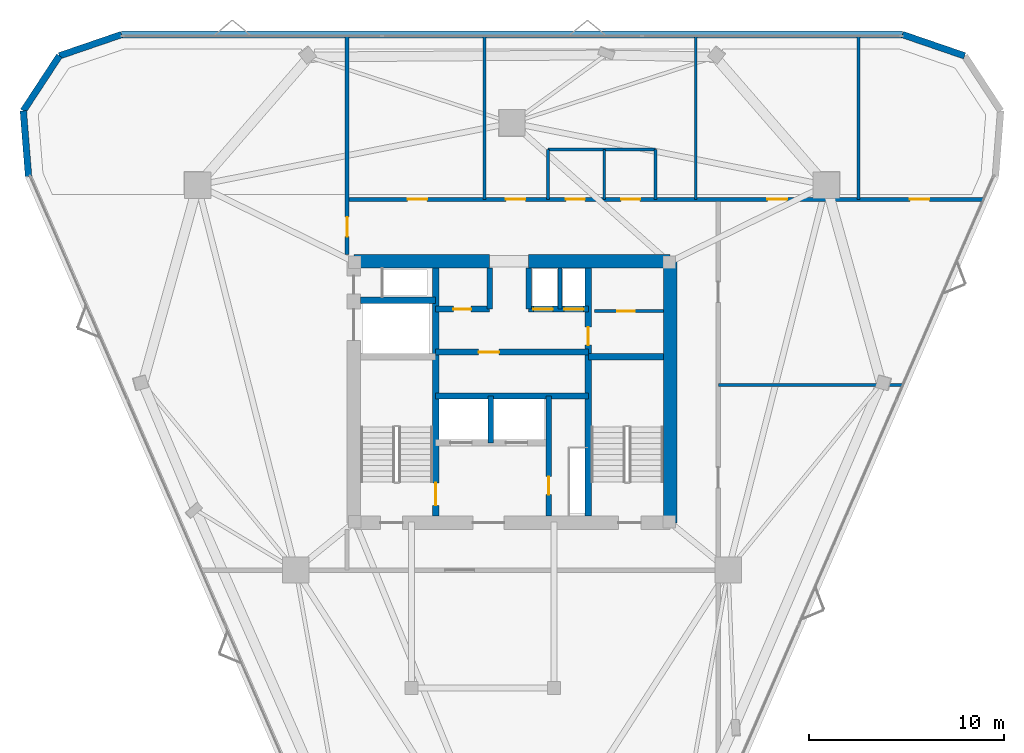
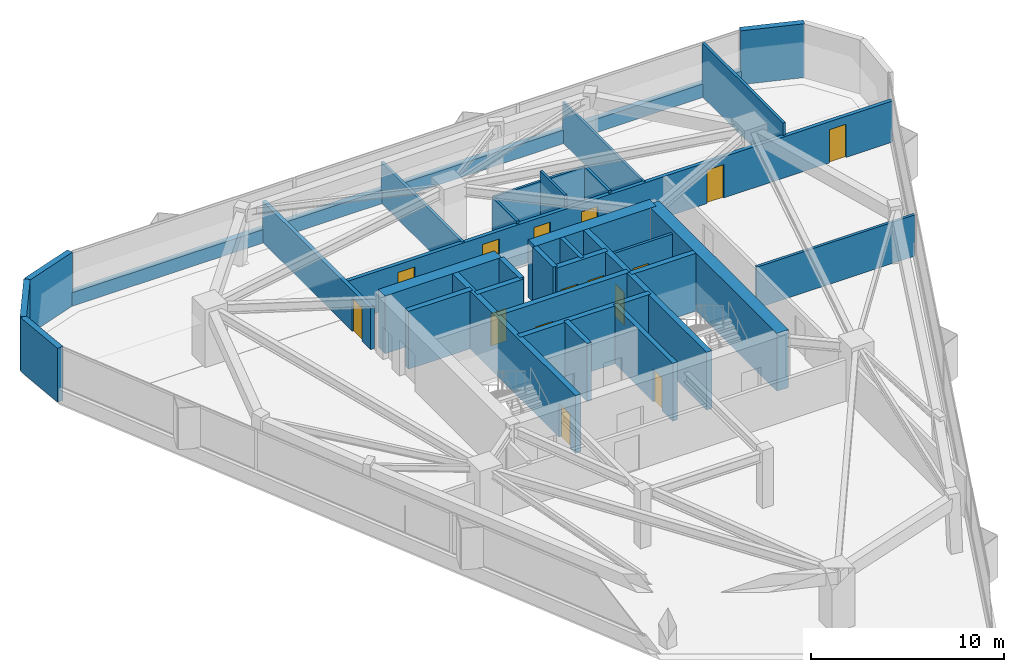
# One storey, part 10 of 13: 32 walls, 15 doors, 15 openings.
"""IFC4 building model written with IfcOpenShell, lengths in metres."""

from ifc_helpers import new_model, si_unit, direction, frame, frame_2d, origin, place, context, subcontext, project, spatial, rectangle, extrude, material, layer, layer_set, type_object, element, fill, save


model = new_model("IFC4")

# Units and contexts
model_context = context("Model", 3, precision=1e-05, world=origin(), true_north=direction((0.0, 1.0)))
body_context = subcontext(model_context, "Body", "Model", "MODEL_VIEW")
ifc_project = project(units=[si_unit("LENGTHUNIT", "METRE"), si_unit("AREAUNIT", "SQUARE_METRE"), si_unit("VOLUMEUNIT", "CUBIC_METRE"), si_unit("PLANEANGLEUNIT", "RADIAN"), si_unit("MASSUNIT", "GRAM", prefix="KILO")], contexts=[model_context])

# Site, building, storey
site_placement = place(None, origin())
site = spatial("IfcSite", under=ifc_project, at=site_placement, CompositionType="ELEMENT")
building_placement = place(site_placement, origin())
building = spatial("IfcBuilding", under=site, at=building_placement, Name="Talyreon Biosciences Tower", CompositionType="ELEMENT")
storey_placement = place(building_placement, frame((0.0, 0.0, 212.25)))
storey = spatial("IfcBuildingStorey", under=building, at=storey_placement, Name="L56", CompositionType="ELEMENT", Elevation=212.25)

# Walls
ifc_material_1 = material(Name="Concrete C50/60", Category="concrete")
ifc_layer_1 = layer(ifc_material_1, 0.219970703125)
ifc_layer_set_1 = layer_set([ifc_layer_1], Name="Concrete C50/60")
wall_type_1 = type_object("IfcWallType", Name="CoreShearWall_220", PredefinedType="SHEAR", material=ifc_layer_set_1)
wall_1_placement = place(storey_placement, frame((68.4599609375, 72.25, 0.0), z_axis=(0.0, 0.0, 1.0), x_axis=(0.0, 1.0, 0.0)))
element("IfcWall", 1, at=wall_1_placement, inside=storey, type_object=wall_type_1, Name="L56 Core Shaft Wall SWPHD", PredefinedType="SHEAR", context=body_context, shape_type="SweptSolid", body=[
    extrude(rectangle(XDim=2.10009765625, YDim=0.219970703125, at=frame_2d((1.050048828125, 0.0))), origin(), (0.0, 0.0, 1.0), 3.64990234375),
])
ifc_layer_2 = layer(ifc_material_1, 0.280029296875)
ifc_layer_set_2 = layer_set([ifc_layer_2], Name="Concrete C50/60")
wall_type_2 = type_object("IfcWallType", Name="CoreShearWall_280", PredefinedType="SHEAR", material=ifc_layer_set_2)
wall_2_placement = place(storey_placement, frame((64.919921875, 65.39990234375, 0.0), z_axis=(0.0, 0.0, 1.0), x_axis=(0.0, 1.0, 0.0)))
element("IfcWall", 2, at=wall_2_placement, inside=storey, type_object=wall_type_2, Name="L56 Core Shaft Wall SWSHD1", PredefinedType="SHEAR", context=body_context, shape_type="SweptSolid", body=[
    extrude(rectangle(XDim=2.400146484375, YDim=0.280029296875, at=frame_2d((1.2001953125, 0.0))), origin(), (0.0, 0.0, 1.0), 3.64990234375),
])
for number, where, z_axis, x_axis, name in (
    (3, (64.85009765625, 72.25, 0.0), (0.0, 0.0, 1.0), (0.0, 1.0, 0.0), "L56 Core Shaft Wall SWTHW"),
    (4, (66.85009765625, 72.25, 0.0), (0.0, 0.0, 1.0), (0.0, 1.0, 0.0), "L56 Core Shaft Wall SWTHE"),
):
    element("IfcWall", number, at=place(storey_placement, frame(where, z_axis=z_axis, x_axis=x_axis)), inside=storey, type_object=wall_type_2, Name=name, PredefinedType="SHEAR", context=body_context, shape_type="SweptSolid", body=[
        extrude(rectangle(XDim=2.10009765625, YDim=0.280029296875, at=frame_2d((1.050048828125, 0.0))), origin(), (0.0, 0.0, 1.0), 3.64990234375),
    ])

# Wall, opening, door
wall_3_placement = place(storey_placement, frame((67.8798828125, 61.64990234375, 0.0), z_axis=(0.0, 0.0, 1.0), x_axis=(0.0, 1.0, 0.0)))
wall_3 = element("IfcWall", 5, at=wall_3_placement, inside=storey, type_object=wall_type_2, Name="L56 Core Shaft Wall SWFFE", PredefinedType="SHEAR", context=body_context, shape_type="SweptSolid", body=[
    extrude(rectangle(XDim=6.150146484375, YDim=0.280029296875, at=frame_2d((3.0751953125, 0.0))), origin(), (0.0, 0.0, 1.0), 3.64990234375),
])
opening_1_placement = place(wall_3_placement, frame((1.10009765625, 0.0, 0.0)))
opening_1 = element("IfcOpeningElement", 6, at=opening_1_placement, cuts=wall_3, Name="Opening DR-L56-RSE", PredefinedType="OPENING", context=body_context, shape_type="SweptSolid", body=[
    extrude(rectangle(XDim=0.919921875, YDim=2.050048828125, at=frame_2d((0.4599609375, 1.02490234375))), frame((0.0, 0.14990234375, 0.0), z_axis=(0.0, -1.0, 0.0), x_axis=(1.0, 0.0, 0.0)), (0.0, 0.0, 1.0), 0.300048828125),
])
ifc_material_2 = material(Name="Painted steel fire-rated riser door", Category="steel")
door_type_1 = type_object("IfcDoorType", Name="RiserPlantAccessDoor_920x2050", OperationType="NOTDEFINED", PredefinedType="DOOR", material=ifc_material_2)
door_1_placement = place(opening_1_placement, origin())
door_1 = element("IfcDoor", 7, at=door_1_placement, inside=storey, type_object=door_type_1, Name="L56 Core Door DR-L56-RSE", OperationType="SINGLE_SWING_RIGHT", OverallHeight=2.050048828125, OverallWidth=0.919921875, PredefinedType="DOOR", context=body_context, shape_type="SweptSolid", body=[
    extrude(rectangle(XDim=0.919921875, YDim=2.050048828125, at=frame_2d((0.4599609375, 1.02490234375))), frame((0.0, 0.02490234375, 0.0), z_axis=(0.0, -1.0, 0.0), x_axis=(1.0, 0.0, 0.0)), (0.0, 0.0, 1.0), 0.050048828125),
])
fill(opening_1, door_1)

ifc_layer_3 = layer(ifc_material_1, 0.320068359375)
ifc_layer_set_3 = layer_set([ifc_layer_3], Name="Concrete C50/60")
wall_type_3 = type_object("IfcWallType", Name="CoreShearWall_320", PredefinedType="SHEAR", material=ifc_layer_set_3)
wall_4_placement = place(storey_placement, frame((62.090087890625, 61.64990234375, 0.0), z_axis=(0.0, 0.0, 1.0), x_axis=(0.0, 1.0, 0.0)))
wall_4 = element("IfcWall", 8, at=wall_4_placement, inside=storey, type_object=wall_type_3, Name="L56 Core Shaft Wall SW1E", PredefinedType="SHEAR", context=body_context, shape_type="SweptSolid", body=[
    extrude(rectangle(XDim=12.7001953125, YDim=0.320068359375, at=frame_2d((6.35009765625, 0.0))), origin(), (0.0, 0.0, 1.0), 3.64990234375),
])
opening_2_placement = place(wall_4_placement, frame((0.550048828125, 0.0, 0.0)))
opening_2 = element("IfcOpeningElement", 9, at=opening_2_placement, cuts=wall_4, Name="Opening DR-L56-FF-ST1", PredefinedType="OPENING", context=body_context, shape_type="SweptSolid", body=[
    extrude(rectangle(XDim=1.14990234375, YDim=2.14990234375, at=frame_2d((0.574951171875, 1.074951171875))), frame((0.0, 0.169921875, 0.0), z_axis=(0.0, -1.0, 0.0), x_axis=(1.0, 0.0, 0.0)), (0.0, 0.0, 1.0), 0.340087890625),
])
ifc_material_3 = material(Name="Painted steel fire door", Category="steel")
door_type_2 = type_object("IfcDoorType", Name="StairShaftFireDoor_1150x2150", OperationType="NOTDEFINED", PredefinedType="DOOR", material=ifc_material_3)
door_2_placement = place(opening_2_placement, origin())
door_2 = element("IfcDoor", 10, at=door_2_placement, inside=storey, type_object=door_type_2, Name="L56 Core Door DR-L56-FF-ST1", OperationType="SINGLE_SWING_LEFT", OverallHeight=2.14990234375, OverallWidth=1.14990234375, PredefinedType="DOOR", context=body_context, shape_type="SweptSolid", body=[
    extrude(rectangle(XDim=1.14990234375, YDim=2.14990234375, at=frame_2d((0.574951171875, 1.074951171875))), frame((0.0, 0.02490234375, 0.0), z_axis=(0.0, -1.0, 0.0), x_axis=(1.0, 0.0, 0.0)), (0.0, 0.0, 1.0), 0.050048828125),
])
fill(opening_2, door_2)

wall_5_placement = place(storey_placement, frame((69.909912109375, 61.64990234375, 0.0), z_axis=(0.0, 0.0, 1.0), x_axis=(0.0, 1.0, 0.0)))
wall_5 = element("IfcWall", 11, at=wall_5_placement, inside=storey, type_object=wall_type_3, Name="L56 Core Shaft Wall SW2W", PredefinedType="SHEAR", context=body_context, shape_type="SweptSolid", body=[
    extrude(rectangle(XDim=12.7001953125, YDim=0.320068359375, at=frame_2d((6.35009765625, 0.0))), origin(), (0.0, 0.0, 1.0), 3.64990234375),
])
opening_3_placement = place(wall_5_placement, frame((8.75, 0.0, 0.0)))
opening_3 = element("IfcOpeningElement", 12, at=opening_3_placement, cuts=wall_5, Name="Opening DR-L56-CSRV", PredefinedType="OPENING", context=body_context, shape_type="SweptSolid", body=[
    extrude(rectangle(XDim=0.919921875, YDim=2.050048828125, at=frame_2d((0.4599609375, 1.02490234375))), frame((0.0, 0.169921875, 0.0), z_axis=(0.0, -1.0, 0.0), x_axis=(1.0, 0.0, 0.0)), (0.0, 0.0, 1.0), 0.340087890625),
])
door_3_placement = place(opening_3_placement, origin())
door_3 = element("IfcDoor", 13, at=door_3_placement, inside=storey, type_object=door_type_1, Name="L56 Core Door DR-L56-CSRV", OperationType="SINGLE_SWING_RIGHT", OverallHeight=2.050048828125, OverallWidth=0.919921875, PredefinedType="DOOR", context=body_context, shape_type="SweptSolid", body=[
    extrude(rectangle(XDim=0.919921875, YDim=2.050048828125, at=frame_2d((0.4599609375, 1.02490234375))), frame((0.0, 0.02490234375, 0.0), z_axis=(0.0, -1.0, 0.0), x_axis=(1.0, 0.0, 0.0)), (0.0, 0.0, 1.0), 0.050048828125),
])
fill(opening_3, door_3)

# Walls
for number, where, z_axis, x_axis, name in (
    (14, (69.909912109375, 69.81005859375, 0.0), (0.0, 0.0, 1.0), (1.0, 0.0, 0.0), "L56 Core Shaft Wall SW2N"),
    (15, (58.25, 72.699951171875, 0.0), (0.0, 0.0, 1.0), (1.0, 0.0, 0.0), "L56 Core Shaft Wall SWGLN"),
):
    element("IfcWall", number, at=place(storey_placement, frame(where, z_axis=z_axis, x_axis=x_axis)), inside=storey, type_object=wall_type_3, Name=name, PredefinedType="SHEAR", context=body_context, shape_type="SweptSolid", body=[
        extrude(rectangle(XDim=3.840087890625, YDim=0.320068359375, at=frame_2d((1.919921875, 0.0))), origin(), (0.0, 0.0, 1.0), 3.64990234375),
    ])
wall_6_placement = place(storey_placement, frame((62.090087890625, 67.800048828125, 0.0), z_axis=(0.0, 0.0, 1.0), x_axis=(1.0, 0.0, 0.0)))
element("IfcWall", 16, at=wall_6_placement, inside=storey, type_object=wall_type_3, Name="L56 Core Shaft Wall SWSHM", PredefinedType="SHEAR", context=body_context, shape_type="SweptSolid", body=[
    extrude(rectangle(XDim=7.81982421875, YDim=0.320068359375, at=frame_2d((3.909912109375, 0.0))), origin(), (0.0, 0.0, 1.0), 3.64990234375),
])

# Wall, opening, door
wall_7_placement = place(storey_placement, frame((62.090087890625, 70.050048828125, 0.0), z_axis=(0.0, 0.0, 1.0), x_axis=(1.0, 0.0, 0.0)))
wall_7 = element("IfcWall", 17, at=wall_7_placement, inside=storey, type_object=wall_type_3, Name="L56 Core Shaft Wall SWSPN", PredefinedType="SHEAR", context=body_context, shape_type="SweptSolid", body=[
    extrude(rectangle(XDim=7.81982421875, YDim=0.320068359375, at=frame_2d((3.909912109375, 0.0))), origin(), (0.0, 0.0, 1.0), 3.64990234375),
])
opening_4_placement = place(wall_7_placement, frame((2.199951171875, 0.0, 0.0)))
opening_4 = element("IfcOpeningElement", 18, at=opening_4_placement, cuts=wall_7, Name="Opening DR-L56-PLPMFREE", PredefinedType="OPENING", context=body_context, shape_type="SweptSolid", body=[
    extrude(rectangle(XDim=1.050048828125, YDim=2.14990234375, at=frame_2d((0.52490234375, 1.074951171875))), frame((0.0, 0.169921875, 0.0), z_axis=(0.0, -1.0, 0.0), x_axis=(1.0, 0.0, 0.0)), (0.0, 0.0, 1.0), 0.340087890625),
])
ifc_material_4 = material(Name="Acoustic timber-core laboratory door", Category="wood")
door_type_3 = type_object("IfcDoorType", Name="DryLabSingleDoor_1050x2150", OperationType="NOTDEFINED", PredefinedType="DOOR", material=ifc_material_4)
door_4_placement = place(opening_4_placement, origin())
door_4 = element("IfcDoor", 19, at=door_4_placement, inside=storey, type_object=door_type_3, Name="L56 Core Door DR-L56-PLPMFREE", OperationType="SINGLE_SWING_LEFT", OverallHeight=2.14990234375, OverallWidth=1.050048828125, PredefinedType="DOOR", context=body_context, shape_type="SweptSolid", body=[
    extrude(rectangle(XDim=1.050048828125, YDim=2.14990234375, at=frame_2d((0.52490234375, 1.074951171875))), frame((0.0, 0.02490234375, 0.0), z_axis=(0.0, -1.0, 0.0), x_axis=(1.0, 0.0, 0.0)), (0.0, 0.0, 1.0), 0.050048828125),
])
fill(opening_4, door_4)

wall_8_placement = place(storey_placement, frame((62.090087890625, 72.25, 0.0), z_axis=(0.0, 0.0, 1.0), x_axis=(1.0, 0.0, 0.0)))
wall_8 = element("IfcWall", 20, at=wall_8_placement, inside=storey, type_object=wall_type_3, Name="L56 Core Shaft Wall SWNPW", PredefinedType="SHEAR", context=body_context, shape_type="SweptSolid", body=[
    extrude(rectangle(XDim=2.760009765625, YDim=0.320068359375, at=frame_2d((1.3798828125, 0.0))), origin(), (0.0, 0.0, 1.0), 3.64990234375),
])
opening_5_placement = place(wall_8_placement, frame((0.89990234375, 0.0, 0.0)))
opening_5 = element("IfcOpeningElement", 21, at=opening_5_placement, cuts=wall_8, Name="Opening DR-L56-PM2FREE", PredefinedType="OPENING", context=body_context, shape_type="SweptSolid", body=[
    extrude(rectangle(XDim=0.919921875, YDim=2.050048828125, at=frame_2d((0.4599609375, 1.02490234375))), frame((0.0, 0.169921875, 0.0), z_axis=(0.0, -1.0, 0.0), x_axis=(1.0, 0.0, 0.0)), (0.0, 0.0, 1.0), 0.340087890625),
])
door_5_placement = place(opening_5_placement, origin())
door_5 = element("IfcDoor", 22, at=door_5_placement, inside=storey, type_object=door_type_1, Name="L56 Core Door DR-L56-PM2FREE", OperationType="SINGLE_SWING_RIGHT", OverallHeight=2.050048828125, OverallWidth=0.919921875, PredefinedType="DOOR", context=body_context, shape_type="SweptSolid", body=[
    extrude(rectangle(XDim=0.919921875, YDim=2.050048828125, at=frame_2d((0.4599609375, 1.02490234375))), frame((0.0, 0.02490234375, 0.0), z_axis=(0.0, -1.0, 0.0), x_axis=(1.0, 0.0, 0.0)), (0.0, 0.0, 1.0), 0.050048828125),
])
fill(opening_5, door_5)

# Wall, openings, doors
wall_9_placement = place(storey_placement, frame((66.85009765625, 72.25, 0.0), z_axis=(0.0, 0.0, 1.0), x_axis=(1.0, 0.0, 0.0)))
wall_9 = element("IfcWall", 23, at=wall_9_placement, inside=storey, type_object=wall_type_3, Name="L56 Core Shaft Wall SWNPE", PredefinedType="SHEAR", context=body_context, shape_type="SweptSolid", body=[
    extrude(rectangle(XDim=3.059814453125, YDim=0.320068359375, at=frame_2d((1.52978515625, 0.0))), origin(), (0.0, 0.0, 1.0), 3.64990234375),
])
opening_6_placement = place(wall_9_placement, frame((0.25, 0.0, 0.0)))
opening_6 = element("IfcOpeningElement", 24, at=opening_6_placement, cuts=wall_9, Name="Opening LD-L56-PH1", PredefinedType="OPENING", context=body_context, shape_type="SweptSolid", body=[
    extrude(rectangle(XDim=1.0, YDim=2.199951171875, at=frame_2d((0.5, 1.10009765625))), frame((0.0, 0.169921875, 0.0), z_axis=(0.0, -1.0, 0.0), x_axis=(1.0, 0.0, 0.0)), (0.0, 0.0, 1.0), 0.340087890625),
])
opening_7_placement = place(wall_9_placement, frame((1.820068359375, 0.0, 0.0)))
opening_7 = element("IfcOpeningElement", 25, at=opening_7_placement, cuts=wall_9, Name="Opening LD-L56-PH2", PredefinedType="OPENING", context=body_context, shape_type="SweptSolid", body=[
    extrude(rectangle(XDim=1.0, YDim=2.199951171875, at=frame_2d((0.5, 1.10009765625))), frame((0.0, 0.169921875, 0.0), z_axis=(0.0, -1.0, 0.0), x_axis=(1.0, 0.0, 0.0)), (0.0, 0.0, 1.0), 0.340087890625),
])
ifc_material_5 = material(Name="Brushed stainless-steel lift landing door", Category="steel")
door_type_4 = type_object("IfcDoorType", Name="LiftSlidingLandingDoor_1100x2200", OperationType="SLIDING_TO_LEFT", PredefinedType="DOOR", material=ifc_material_5)
door_6_placement = place(opening_6_placement, origin())
door_6 = element("IfcDoor", 26, at=door_6_placement, inside=storey, type_object=door_type_4, Name="L56 Core Door LD-L56-PH1", OperationType="SLIDING_TO_LEFT", OverallHeight=2.199951171875, OverallWidth=1.0, PredefinedType="DOOR", context=body_context, shape_type="SweptSolid", body=[
    extrude(rectangle(XDim=1.0, YDim=2.199951171875, at=frame_2d((0.5, 1.10009765625))), frame((0.0, 0.02490234375, 0.0), z_axis=(0.0, -1.0, 0.0), x_axis=(1.0, 0.0, 0.0)), (0.0, 0.0, 1.0), 0.050048828125),
])
fill(opening_6, door_6)
door_7_placement = place(opening_7_placement, origin())
door_7 = element("IfcDoor", 27, at=door_7_placement, inside=storey, type_object=door_type_4, Name="L56 Core Door LD-L56-PH2", OperationType="SLIDING_TO_LEFT", OverallHeight=2.199951171875, OverallWidth=1.0, PredefinedType="DOOR", context=body_context, shape_type="SweptSolid", body=[
    extrude(rectangle(XDim=1.0, YDim=2.199951171875, at=frame_2d((0.5, 1.10009765625))), frame((0.0, 0.02490234375, 0.0), z_axis=(0.0, -1.0, 0.0), x_axis=(1.0, 0.0, 0.0)), (0.0, 0.0, 1.0), 0.050048828125),
])
fill(opening_7, door_7)

# Walls
ifc_layer_4 = layer(ifc_material_1, 0.699951171875)
ifc_layer_set_4 = layer_set([ifc_layer_4], Name="Concrete C50/60")
wall_type_4 = type_object("IfcWallType", Name="CoreShearWall_700", PredefinedType="SHEAR", material=ifc_layer_set_4)
wall_10_placement = place(storey_placement, frame((74.10009765625, 61.300048828125, 0.0), z_axis=(0.0, 0.0, 1.0), x_axis=(0.0, 1.0, 0.0)))
element("IfcWall", 28, at=wall_10_placement, inside=storey, type_object=wall_type_4, Name="L56 Core Shear Wall E", PredefinedType="SHEAR", context=body_context, shape_type="SweptSolid", body=[
    extrude(rectangle(XDim=13.39990234375, YDim=0.699951171875, at=frame_2d((6.699951171875, 0.0))), origin(), (0.0, 0.0, 1.0), 3.64990234375),
])
wall_11_placement = place(storey_placement, frame((74.10009765625, 74.699951171875, 0.0), z_axis=(0.0, 0.0, 1.0), x_axis=(-1.0, 0.0, 0.0)))
element("IfcWall", 29, at=wall_11_placement, inside=storey, type_object=wall_type_4, Name="L56 Core Shear Wall NE", PredefinedType="SHEAR", context=body_context, shape_type="SweptSolid", body=[
    extrude(rectangle(XDim=7.25, YDim=0.699951171875, at=frame_2d((3.625, 0.0))), origin(), (0.0, 0.0, 1.0), 3.64990234375),
])
wall_12_placement = place(storey_placement, frame((64.85009765625, 74.699951171875, 0.0), z_axis=(0.0, 0.0, 1.0), x_axis=(-1.0, 0.0, 0.0)))
element("IfcWall", 30, at=wall_12_placement, inside=storey, type_object=wall_type_4, Name="L56 Core Shear Wall NW", PredefinedType="SHEAR", context=body_context, shape_type="SweptSolid", body=[
    extrude(rectangle(XDim=6.9501953125, YDim=0.699951171875, at=frame_2d((3.47509765625, 0.0))), origin(), (0.0, 0.0, 1.0), 3.64990234375),
])

# Wall, openings, doors
ifc_material_6 = material(Name="Gypsum fireboard acoustic stud", Category="gypsum")
ifc_layer_5 = layer(ifc_material_6, 0.219970703125)
ifc_layer_set_5 = layer_set([ifc_layer_5], Name="Gypsum fireboard acoustic stud")
wall_type_5 = type_object("IfcWallType", Name="CorridorRatedPartition_220", PredefinedType="PARTITIONING", material=ifc_layer_set_5)
wall_13_placement = place(storey_placement, frame((57.550048828125, 77.8701171875, 0.0), z_axis=(0.0, 0.0, 1.0), x_axis=(1.0, 0.0, 0.0)))
wall_13 = element("IfcWall", 31, at=wall_13_placement, inside=storey, type_object=wall_type_5, Name="L56 Interior Wall IW-L56-COR-N", PredefinedType="PARTITIONING", context=body_context, shape_type="SweptSolid", body=[
    extrude(rectangle(XDim=32.61572265625, YDim=0.219970703125, at=frame_2d((16.307861328125, 0.0))), origin(), (0.0, 0.0, 1.0), 2.60009765625),
])
opening_8_placement = place(wall_13_placement, frame((11.2099609375, 0.0, 0.0)))
opening_8 = element("IfcOpeningElement", 32, at=opening_8_placement, cuts=wall_13, Name="Opening DR-L56-WC", PredefinedType="OPENING", context=body_context, shape_type="SweptSolid", body=[
    extrude(rectangle(XDim=0.97998046875, YDim=2.10009765625, at=frame_2d((0.489990234375, 1.050048828125))), frame((0.0, 0.119873046875, 0.0), z_axis=(0.0, -1.0, 0.0), x_axis=(1.0, 0.0, 0.0)), (0.0, 0.0, 1.0), 0.239990234375),
])
opening_9_placement = place(wall_13_placement, frame((14.034912109375, 0.0, 0.0)))
opening_9 = element("IfcOpeningElement", 33, at=opening_9_placement, cuts=wall_13, Name="Opening DR-L56-AWC", PredefinedType="OPENING", context=body_context, shape_type="SweptSolid", body=[
    extrude(rectangle(XDim=0.97998046875, YDim=2.10009765625, at=frame_2d((0.489990234375, 1.050048828125))), frame((0.0, 0.119873046875, 0.0), z_axis=(0.0, -1.0, 0.0), x_axis=(1.0, 0.0, 0.0)), (0.0, 0.0, 1.0), 0.239990234375),
])
opening_10_placement = place(wall_13_placement, frame((3.10009765625, 0.0, 0.0)))
opening_10 = element("IfcOpeningElement", 34, at=opening_10_placement, cuts=wall_13, Name="Opening DR-L56-N1A", PredefinedType="OPENING", context=body_context, shape_type="SweptSolid", body=[
    extrude(rectangle(XDim=1.0, YDim=2.10009765625, at=frame_2d((0.5, 1.050048828125))), frame((0.0, 0.119873046875, 0.0), z_axis=(0.0, -1.0, 0.0), x_axis=(1.0, 0.0, 0.0)), (0.0, 0.0, 1.0), 0.239990234375),
])
opening_11_placement = place(wall_13_placement, frame((8.135009765625, 0.0, 0.0)))
opening_11 = element("IfcOpeningElement", 35, at=opening_11_placement, cuts=wall_13, Name="Opening DR-L56-N2A", PredefinedType="OPENING", context=body_context, shape_type="SweptSolid", body=[
    extrude(rectangle(XDim=1.0, YDim=2.10009765625, at=frame_2d((0.5, 1.050048828125))), frame((0.0, 0.119873046875, 0.0), z_axis=(0.0, -1.0, 0.0), x_axis=(1.0, 0.0, 0.0)), (0.0, 0.0, 1.0), 0.239990234375),
])
opening_12_placement = place(wall_13_placement, frame((21.5400390625, 0.0, 0.0)))
opening_12 = element("IfcOpeningElement", 36, at=opening_12_placement, cuts=wall_13, Name="Opening DR-L56-N3A", PredefinedType="OPENING", context=body_context, shape_type="SweptSolid", body=[
    extrude(rectangle(XDim=1.0, YDim=2.10009765625, at=frame_2d((0.5, 1.050048828125))), frame((0.0, 0.119873046875, 0.0), z_axis=(0.0, -1.0, 0.0), x_axis=(1.0, 0.0, 0.0)), (0.0, 0.0, 1.0), 0.239990234375),
])
opening_13_placement = place(wall_13_placement, frame((28.8369140625, 0.0, 0.0)))
opening_13 = element("IfcOpeningElement", 37, at=opening_13_placement, cuts=wall_13, Name="Opening DR-L56-N4A", PredefinedType="OPENING", context=body_context, shape_type="SweptSolid", body=[
    extrude(rectangle(XDim=1.0, YDim=2.10009765625, at=frame_2d((0.5, 1.050048828125))), frame((0.0, 0.119873046875, 0.0), z_axis=(0.0, -1.0, 0.0), x_axis=(1.0, 0.0, 0.0)), (0.0, 0.0, 1.0), 0.239990234375),
])
ifc_material_7 = material(Name="Laminate moisture-resistant door", Category="wood")
door_type_5 = type_object("IfcDoorType", Name="AccessibleToiletDoor_980x2100", OperationType="NOTDEFINED", PredefinedType="DOOR", material=ifc_material_7)
door_8_placement = place(opening_8_placement, origin())
door_8 = element("IfcDoor", 38, at=door_8_placement, inside=storey, type_object=door_type_5, Name="L56 Interior Door DR-L56-WC", OperationType="SINGLE_SWING_LEFT", OverallHeight=2.10009765625, OverallWidth=0.97998046875, PredefinedType="DOOR", context=body_context, shape_type="SweptSolid", body=[
    extrude(rectangle(XDim=0.97998046875, YDim=2.10009765625, at=frame_2d((0.489990234375, 1.050048828125))), frame((0.0, 0.02490234375, 0.0), z_axis=(0.0, -1.0, 0.0), x_axis=(1.0, 0.0, 0.0)), (0.0, 0.0, 1.0), 0.050048828125),
])
fill(opening_8, door_8)
door_9_placement = place(opening_9_placement, origin())
door_9 = element("IfcDoor", 39, at=door_9_placement, inside=storey, type_object=door_type_5, Name="L56 Interior Door DR-L56-AWC", OperationType="SINGLE_SWING_LEFT", OverallHeight=2.10009765625, OverallWidth=0.97998046875, PredefinedType="DOOR", context=body_context, shape_type="SweptSolid", body=[
    extrude(rectangle(XDim=0.97998046875, YDim=2.10009765625, at=frame_2d((0.489990234375, 1.050048828125))), frame((0.0, 0.02490234375, 0.0), z_axis=(0.0, -1.0, 0.0), x_axis=(1.0, 0.0, 0.0)), (0.0, 0.0, 1.0), 0.050048828125),
])
fill(opening_9, door_9)
ifc_material_8 = material(Name="Acoustic oak veneer office door", Category="wood")
door_type_6 = type_object("IfcDoorType", Name="WriteupOfficeDoor_1000x2100", OperationType="NOTDEFINED", PredefinedType="DOOR", material=ifc_material_8)
door_10_placement = place(opening_10_placement, origin())
door_10 = element("IfcDoor", 40, at=door_10_placement, inside=storey, type_object=door_type_6, Name="L56 Interior Door DR-L56-N1A", OperationType="SINGLE_SWING_LEFT", OverallHeight=2.10009765625, OverallWidth=1.0, PredefinedType="DOOR", context=body_context, shape_type="SweptSolid", body=[
    extrude(rectangle(XDim=1.0, YDim=2.10009765625, at=frame_2d((0.5, 1.050048828125))), frame((0.0, 0.02490234375, 0.0), z_axis=(0.0, -1.0, 0.0), x_axis=(1.0, 0.0, 0.0)), (0.0, 0.0, 1.0), 0.050048828125),
])
fill(opening_10, door_10)
door_11_placement = place(opening_11_placement, origin())
door_11 = element("IfcDoor", 41, at=door_11_placement, inside=storey, type_object=door_type_6, Name="L56 Interior Door DR-L56-N2A", OperationType="SINGLE_SWING_RIGHT", OverallHeight=2.10009765625, OverallWidth=1.0, PredefinedType="DOOR", context=body_context, shape_type="SweptSolid", body=[
    extrude(rectangle(XDim=1.0, YDim=2.10009765625, at=frame_2d((0.5, 1.050048828125))), frame((0.0, 0.02490234375, 0.0), z_axis=(0.0, -1.0, 0.0), x_axis=(1.0, 0.0, 0.0)), (0.0, 0.0, 1.0), 0.050048828125),
])
fill(opening_11, door_11)
door_12_placement = place(opening_12_placement, origin())
door_12 = element("IfcDoor", 42, at=door_12_placement, inside=storey, type_object=door_type_6, Name="L56 Interior Door DR-L56-N3A", OperationType="SINGLE_SWING_RIGHT", OverallHeight=2.10009765625, OverallWidth=1.0, PredefinedType="DOOR", context=body_context, shape_type="SweptSolid", body=[
    extrude(rectangle(XDim=1.0, YDim=2.10009765625, at=frame_2d((0.5, 1.050048828125))), frame((0.0, 0.02490234375, 0.0), z_axis=(0.0, -1.0, 0.0), x_axis=(1.0, 0.0, 0.0)), (0.0, 0.0, 1.0), 0.050048828125),
])
fill(opening_12, door_12)
door_13_placement = place(opening_13_placement, origin())
door_13 = element("IfcDoor", 43, at=door_13_placement, inside=storey, type_object=door_type_6, Name="L56 Interior Door DR-L56-N4A", OperationType="SINGLE_SWING_LEFT", OverallHeight=2.10009765625, OverallWidth=1.0, PredefinedType="DOOR", context=body_context, shape_type="SweptSolid", body=[
    extrude(rectangle(XDim=1.0, YDim=2.10009765625, at=frame_2d((0.5, 1.050048828125))), frame((0.0, 0.02490234375, 0.0), z_axis=(0.0, -1.0, 0.0), x_axis=(1.0, 0.0, 0.0)), (0.0, 0.0, 1.0), 0.050048828125),
])
fill(opening_13, door_13)

# Wall, opening, door
wall_14_placement = place(storey_placement, frame((57.550048828125, 75.050048828125, 0.0), z_axis=(0.0, 0.0, 1.0), x_axis=(0.0, 1.0, 0.0)))
wall_14 = element("IfcWall", 44, at=wall_14_placement, inside=storey, type_object=wall_type_5, Name="L56 Interior Wall IW-L56-WCAP-N", PredefinedType="PARTITIONING", context=body_context, shape_type="SweptSolid", body=[
    extrude(rectangle(XDim=11.183349609375, YDim=0.219970703125, at=frame_2d((5.591796875, 0.0))), origin(), (0.0, 0.0, 1.0), 2.60009765625),
])
opening_14_placement = place(wall_14_placement, frame((0.909912109375, 0.0, 0.0)))
opening_14 = element("IfcOpeningElement", 45, at=opening_14_placement, cuts=wall_14, Name="Opening DR-L56-W1A", PredefinedType="OPENING", context=body_context, shape_type="SweptSolid", body=[
    extrude(rectangle(XDim=1.0, YDim=2.10009765625, at=frame_2d((0.5, 1.050048828125))), frame((0.0, 0.119873046875, 0.0), z_axis=(0.0, -1.0, 0.0), x_axis=(1.0, 0.0, 0.0)), (0.0, 0.0, 1.0), 0.239990234375),
])
door_14_placement = place(opening_14_placement, origin())
door_14 = element("IfcDoor", 46, at=door_14_placement, inside=storey, type_object=door_type_6, Name="L56 Interior Door DR-L56-W1A", OperationType="SINGLE_SWING_RIGHT", OverallHeight=2.10009765625, OverallWidth=1.0, PredefinedType="DOOR", context=body_context, shape_type="SweptSolid", body=[
    extrude(rectangle(XDim=1.0, YDim=2.10009765625, at=frame_2d((0.5, 1.050048828125))), frame((0.0, 0.02490234375, 0.0), z_axis=(0.0, -1.0, 0.0), x_axis=(1.0, 0.0, 0.0)), (0.0, 0.0, 1.0), 0.050048828125),
])
fill(opening_14, door_14)

ifc_material_9 = material(Name="Gypsum acoustic stud partition", Category="gypsum")
ifc_layer_6 = layer(ifc_material_9, 0.159912109375)
ifc_layer_set_6 = layer_set([ifc_layer_6], Name="Gypsum acoustic stud partition")
wall_type_6 = type_object("IfcWallType", Name="LabSeparationPartition_160", PredefinedType="PARTITIONING", material=ifc_layer_set_6)
wall_15_placement = place(storey_placement, frame((70.22998046875, 72.14990234375, 0.0), z_axis=(0.0, 0.0, 1.0), x_axis=(1.0, 0.0, 0.0)))
wall_15 = element("IfcWall", 47, at=wall_15_placement, inside=storey, type_object=wall_type_6, Name="L56 Interior Wall IW-L56-CSRV-H", PredefinedType="PARTITIONING", context=body_context, shape_type="SweptSolid", body=[
    extrude(rectangle(XDim=3.52001953125, YDim=0.159912109375, at=frame_2d((1.760009765625, 0.0))), origin(), (0.0, 0.0, 1.0), 3.39990234375),
])
opening_15_placement = place(wall_15_placement, frame((1.14990234375, 0.0, 0.0)))
opening_15 = element("IfcOpeningElement", 48, at=opening_15_placement, cuts=wall_15, Name="Opening DR-L56-CSRV-I", PredefinedType="OPENING", context=body_context, shape_type="SweptSolid", body=[
    extrude(rectangle(XDim=0.919921875, YDim=2.050048828125, at=frame_2d((0.4599609375, 1.02490234375))), frame((0.0, 0.08984375, 0.0), z_axis=(0.0, -1.0, 0.0), x_axis=(1.0, 0.0, 0.0)), (0.0, 0.0, 1.0), 0.179931640625),
])
door_15_placement = place(opening_15_placement, origin())
door_15 = element("IfcDoor", 49, at=door_15_placement, inside=storey, type_object=door_type_1, Name="L56 Interior Door DR-L56-CSRV-I", OperationType="SINGLE_SWING_LEFT", OverallHeight=2.050048828125, OverallWidth=0.919921875, PredefinedType="DOOR", context=body_context, shape_type="SweptSolid", body=[
    extrude(rectangle(XDim=0.919921875, YDim=2.050048828125, at=frame_2d((0.4599609375, 1.02490234375))), frame((0.0, 0.02490234375, 0.0), z_axis=(0.0, -1.0, 0.0), x_axis=(1.0, 0.0, 0.0)), (0.0, 0.0, 1.0), 0.050048828125),
])
fill(opening_15, door_15)

# Walls
wall_16_placement = place(storey_placement, frame((64.60009765625, 77.8701171875, 0.0), z_axis=(0.0, 0.0, 1.0), x_axis=(0.0, 1.0, 0.0)))
element("IfcWall", 50, at=wall_16_placement, inside=storey, type_object=wall_type_6, Name="L56 Interior Wall IW-L56-NDIV1", PredefinedType="PARTITIONING", context=body_context, shape_type="SweptSolid", body=[
    extrude(rectangle(XDim=8.36328125, YDim=0.159912109375, at=frame_2d((4.181640625, 0.0))), origin(), (0.0, 0.0, 1.0), 2.60009765625),
])
wall_17_placement = place(storey_placement, frame((83.758056640625, 77.8701171875, 0.0), z_axis=(0.0, 0.0, 1.0), x_axis=(0.0, 1.0, 0.0)))
element("IfcWall", 51, at=wall_17_placement, inside=storey, type_object=wall_type_6, Name="L56 Interior Wall IW-L56-NDIV3", PredefinedType="PARTITIONING", context=body_context, shape_type="SweptSolid", body=[
    extrude(rectangle(XDim=8.36328125, YDim=0.159912109375, at=frame_2d((4.181640625, 0.0))), origin(), (0.0, 0.0, 1.0), 3.39990234375),
])
wall_18_placement = place(storey_placement, frame((76.570068359375, 68.3701171875, 0.0), z_axis=(0.0, 0.0, 1.0), x_axis=(1.0, 0.0, 0.0)))
element("IfcWall", 52, at=wall_18_placement, inside=storey, type_object=wall_type_6, Name="L56 Interior Wall IW-L56-EDIV1", PredefinedType="PARTITIONING", context=body_context, shape_type="SweptSolid", body=[
    extrude(rectangle(XDim=9.4697265625, YDim=0.159912109375, at=frame_2d((4.73486328125, 0.0))), origin(), (0.0, 0.0, 1.0), 2.60009765625),
])
ifc_layer_7 = layer(ifc_material_9, 0.1298828125)
ifc_layer_set_7 = layer_set([ifc_layer_7], Name="Gypsum acoustic stud partition")
wall_type_7 = type_object("IfcWallType", Name="OfficeWriteupPartition_130", PredefinedType="PARTITIONING", material=ifc_layer_set_7)
wall_19_placement = place(storey_placement, frame((75.422119140625, 77.8701171875, 0.0), z_axis=(0.0, 0.0, 1.0), x_axis=(0.0, 1.0, 0.0)))
element("IfcWall", 53, at=wall_19_placement, inside=storey, type_object=wall_type_7, Name="L56 Interior Wall IW-L56-NDIV2", PredefinedType="PARTITIONING", context=body_context, shape_type="SweptSolid", body=[
    extrude(rectangle(XDim=8.36328125, YDim=0.1298828125, at=frame_2d((4.181640625, 0.0))), origin(), (0.0, 0.0, 1.0), 2.60009765625),
])
ifc_material_10 = material(Name="Precast concrete C45/55", Category="concrete")
ifc_layer_8 = layer(ifc_material_10, 0.340087890625)
ifc_layer_set_8 = layer_set([ifc_layer_8], Name="Precast concrete C45/55")
wall_type_8 = type_object("IfcWallType", Name="PrecastConcreteSpandrelWall_340", PredefinedType="STANDARD", material=ifc_layer_set_8)
wall_20_placement = place(storey_placement, frame((41.23046875, 79.046875, 0.0), z_axis=(0.0, 0.0, 1.0), x_axis=(-0.079598407838, 0.996827012811, 0.0)))
element("IfcWall", 54, at=wall_20_placement, inside=storey, type_object=wall_type_8, Name="L56 Rounded-Corner Concrete Pier 01", PredefinedType="STANDARD", context=body_context, shape_type="SweptSolid", body=[
    extrude(rectangle(XDim=3.370849609375, YDim=0.340087890625, at=frame_2d((1.685546875, 0.0))), origin(), (0.0, 0.0, 1.0), 3.39990234375),
])
wall_21_placement = place(storey_placement, frame((40.962158203125, 82.406982421875, 0.0), z_axis=(0.0, 0.0, 1.0), x_axis=(0.548450776456, 0.836182842329, 0.0)))
element("IfcWall", 55, at=wall_21_placement, inside=storey, type_object=wall_type_8, Name="L56 Rounded-Corner Concrete Pier 02", PredefinedType="STANDARD", context=body_context, shape_type="SweptSolid", body=[
    extrude(rectangle(XDim=3.37109375, YDim=0.340087890625, at=frame_2d((1.685546875, 0.0))), origin(), (0.0, 0.0, 1.0), 3.39990234375),
])
wall_22_placement = place(storey_placement, frame((42.81103515625, 85.225830078125, 0.0), z_axis=(0.0, 0.0, 1.0), x_axis=(0.946021467082, 0.324103970693, 0.0)))
element("IfcWall", 56, at=wall_22_placement, inside=storey, type_object=wall_type_8, Name="L56 Rounded-Corner Concrete Pier 03", PredefinedType="STANDARD", context=body_context, shape_type="SweptSolid", body=[
    extrude(rectangle(XDim=3.370849609375, YDim=0.340087890625, at=frame_2d((1.685546875, 0.0))), origin(), (0.0, 0.0, 1.0), 3.39990234375),
])
wall_23_placement = place(storey_placement, frame((46.0, 86.318359375, 0.0), z_axis=(0.0, 0.0, 1.0), x_axis=(1.0, 0.0, 0.0)))
element("IfcWall", 57, at=wall_23_placement, inside=storey, type_object=wall_type_8, Name="L56 Expressed Concrete Sill Wall 04", PredefinedType="STANDARD", context=body_context, shape_type="SweptSolid", body=[
    extrude(rectangle(XDim=40.0, YDim=0.340087890625, at=frame_2d((20.0, 0.0))), origin(), (0.0, 0.0, 1.0), 0.85009765625),
])
wall_24_placement = place(storey_placement, frame((86.0, 86.318359375, 0.0), z_axis=(0.0, 0.0, 1.0), x_axis=(0.946021467082, -0.324103970693, 0.0)))
element("IfcWall", 58, at=wall_24_placement, inside=storey, type_object=wall_type_8, Name="L56 Rounded-Corner Concrete Pier 05", PredefinedType="STANDARD", context=body_context, shape_type="SweptSolid", body=[
    extrude(rectangle(XDim=3.370849609375, YDim=0.340087890625, at=frame_2d((1.685546875, 0.0))), origin(), (0.0, 0.0, 1.0), 3.39990234375),
])
ifc_material_11 = material(Name="Moisture-resistant cement-board stud", Category="gypsum")
ifc_layer_9 = layer(ifc_material_11, 0.14501953125)
ifc_layer_set_9 = layer_set([ifc_layer_9], Name="Moisture-resistant cement-board stud")
wall_type_9 = type_object("IfcWallType", Name="WetRoomPartition_145", PredefinedType="PARTITIONING", material=ifc_layer_set_9)
wall_25_placement = place(storey_placement, frame((67.85009765625, 77.8701171875, 0.0), z_axis=(0.0, 0.0, 1.0), x_axis=(0.0, 1.0, 0.0)))
element("IfcWall", 59, at=wall_25_placement, inside=storey, type_object=wall_type_9, Name="L56 Interior Wall IW-L56-WCL", PredefinedType="PARTITIONING", context=body_context, shape_type="SweptSolid", body=[
    extrude(rectangle(XDim=2.5498046875, YDim=0.14501953125, at=frame_2d((1.27490234375, 0.0))), origin(), (0.0, 0.0, 1.0), 2.780029296875),
])
wall_26_placement = place(storey_placement, frame((70.72509765625, 77.8701171875, 0.0), z_axis=(0.0, 0.0, 1.0), x_axis=(0.0, 1.0, 0.0)))
element("IfcWall", 60, at=wall_26_placement, inside=storey, type_object=wall_type_9, Name="L56 Interior Wall IW-L56-WCM", PredefinedType="PARTITIONING", context=body_context, shape_type="SweptSolid", body=[
    extrude(rectangle(XDim=2.5498046875, YDim=0.14501953125, at=frame_2d((1.27490234375, 0.0))), origin(), (0.0, 0.0, 1.0), 3.39990234375),
])
wall_27_placement = place(storey_placement, frame((73.35009765625, 77.8701171875, 0.0), z_axis=(0.0, 0.0, 1.0), x_axis=(0.0, 1.0, 0.0)))
element("IfcWall", 61, at=wall_27_placement, inside=storey, type_object=wall_type_9, Name="L56 Interior Wall IW-L56-WCR", PredefinedType="PARTITIONING", context=body_context, shape_type="SweptSolid", body=[
    extrude(rectangle(XDim=2.5498046875, YDim=0.14501953125, at=frame_2d((1.27490234375, 0.0))), origin(), (0.0, 0.0, 1.0), 2.780029296875),
])
wall_28_placement = place(storey_placement, frame((67.85009765625, 80.419921875, 0.0), z_axis=(0.0, 0.0, 1.0), x_axis=(1.0, 0.0, 0.0)))
element("IfcWall", 62, at=wall_28_placement, inside=storey, type_object=wall_type_9, Name="L56 Interior Wall IW-L56-WCT", PredefinedType="PARTITIONING", context=body_context, shape_type="SweptSolid", body=[
    extrude(rectangle(XDim=5.5, YDim=0.14501953125, at=frame_2d((2.75, 0.0))), origin(), (0.0, 0.0, 1.0), 2.780029296875),
])

save(model, "model.ifc")
